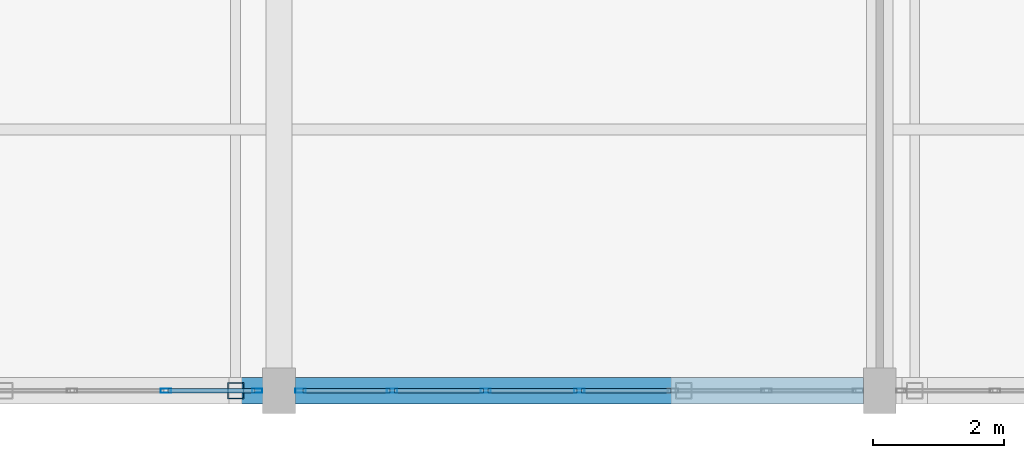
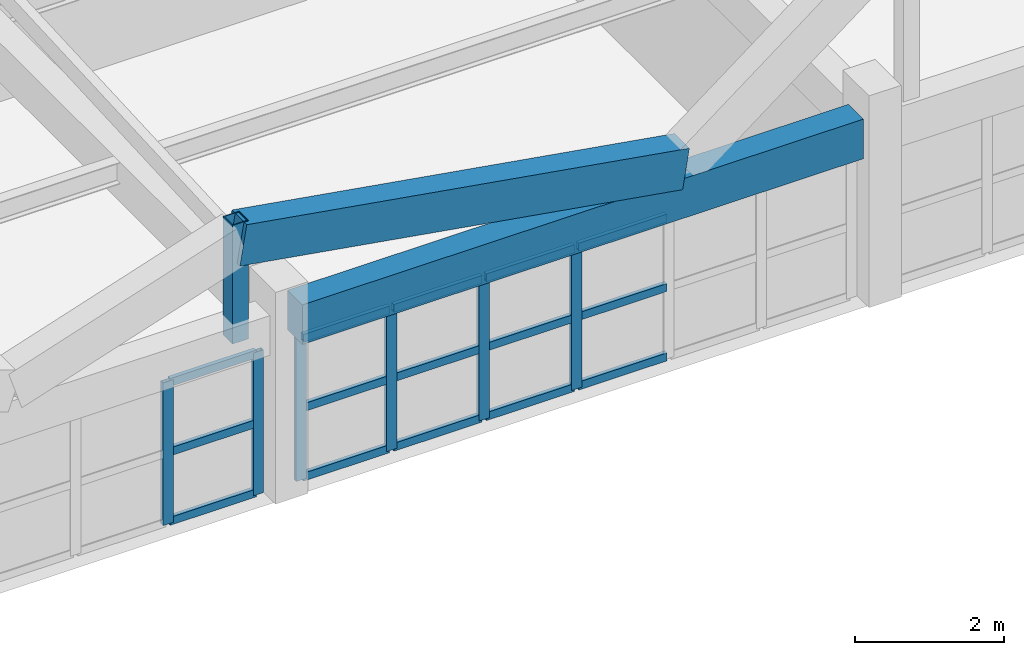
# One storey, part 18 of 127: 22 members, 2 beams, 2 elements without a shape of their own.
"""IFC4 building model written with IfcOpenShell, lengths in metres."""

from ifc_helpers import new_model, si_unit, direction, frame, origin, origin_2d, place, context, subcontext, project, spatial, rectangle, hollow_rectangle, extrude, material, material_profile, profile_set, type_object, element, aggregate, save


model = new_model("IFC4")

# Units and contexts
model_context = context("Model", 3, precision=1e-05, world=origin(), true_north=direction((0.0, 1.0)))
body_context = subcontext(model_context, "Body", "Model", "MODEL_VIEW")
ifc_project = project(units=[si_unit("LENGTHUNIT", "METRE"), si_unit("AREAUNIT", "SQUARE_METRE"), si_unit("VOLUMEUNIT", "CUBIC_METRE"), si_unit("PLANEANGLEUNIT", "RADIAN"), si_unit("MASSUNIT", "GRAM", prefix="KILO")], contexts=[model_context])

# Site, building, storey
site_placement = place(None, origin())
site = spatial("IfcSite", under=ifc_project, at=site_placement, CompositionType="ELEMENT")
building_placement = place(site_placement, origin())
building = spatial("IfcBuilding", under=site, at=building_placement, Name="Kestramere Prow Commons", CompositionType="ELEMENT")
storey_placement = place(building_placement, frame((0.0, 0.0, 8.39990234375)))
storey = spatial("IfcBuildingStorey", under=building, at=storey_placement, Name="L02", CompositionType="ELEMENT", Elevation=8.39990234375)

# Beams
ifc_material_1 = material(Name="Precast concrete C40/50", Category="concrete")
ifc_material_profile_1 = material_profile(ifc_material_1, rectangle(XDim=0.39990234375, YDim=0.64990234375, at=origin_2d()), Name="PC-BM 400x650")
ifc_profile_set_1 = profile_set([ifc_material_profile_1], Name="Precast concrete C40/50")
beam_type = type_object("IfcBeamType", Name="BM-MK-01 PC-BM 400x650 (EX)", PredefinedType="BEAM", material=ifc_profile_set_1)
beam_1_placement = place(storey_placement, frame((85.25, 0.0, 2.675048828125), z_axis=(1.0, 0.0, 0.0), x_axis=(0.0, 1.0, 0.0)))
element("IfcBeam", 1, at=beam_1_placement, inside=storey, type_object=beam_type, Name="Market Spine L02 Beam X 1-4", PredefinedType="BEAM", context=body_context, shape_type="SweptSolid", body=[
    extrude(rectangle(XDim=0.39990234375, YDim=0.64990234375, at=origin_2d()), origin(), (0.0, 0.0, 1.0), 8.699951171875),
])
beam_2_placement = place(storey_placement, frame((84.3359375, 0.0, 4.295166015625), z_axis=(0.986250388965, 0.0, -0.16525789018), x_axis=(0.0, 1.0, 0.0)))
element("IfcBeam", 2, at=beam_2_placement, inside=storey, type_object=beam_type, Name="Market Folded Rafter 3R-0", PredefinedType="BEAM", context=body_context, shape_type="SweptSolid", body=[
    extrude(rectangle(XDim=0.39990234375, YDim=0.64990234375, at=origin_2d()), origin(), (0.0, 0.0, 1.0), 6.959716796875),
])

# Member
ifc_material_2 = material(Name="Steel S355JR", Category="steel")
ifc_material_profile_2 = material_profile(ifc_material_2, hollow_rectangle(XDim=0.25, YDim=0.25, WallThickness=0.012451171875, at=origin_2d()), Name="SHS 250x250x12.5")
ifc_profile_set_2 = profile_set([ifc_material_profile_2], Name="Steel S355JR")
member_type_1 = type_object("IfcMemberType", Name="BRAPX-01 SHS 250x250x12.5", PredefinedType="BRACE", material=ifc_profile_set_2)
member_1_placement = place(storey_placement, frame((84.3359375, 0.0, 2.675048828125), z_axis=(0.0, 0.0, 1.0), x_axis=(1.0, 0.0, 0.0)))
element("IfcMember", 3, at=member_1_placement, inside=storey, type_object=member_type_1, Name="Market Folded Gable Diagonal Brace 3-0", PredefinedType="BRACE", context=body_context, shape_type="SweptSolid", body=[
    extrude(hollow_rectangle(XDim=0.25, YDim=0.25, WallThickness=0.012451171875, at=origin_2d()), origin(), (0.0, 0.0, 1.0), 1.945068359375),
])

# Curtain wall, members
ifc_material_3 = material(Name="Anodised Aluminium and Low-E Glass", Category="aluminium")
curtain_wall_type = type_object("IfcCurtainWallType", Name="CW-30 Glazed Curtain Wall 8600x2340", PredefinedType="USERDEFINED", material=ifc_material_3)
curtain_wall_1_placement = place(storey_placement, origin())
curtain_wall_1 = element("IfcCurtainWall", 4, at=curtain_wall_1_placement, inside=storey, type_object=curtain_wall_type, Name="Market L02 South Shopfront 3", ObjectType="GLAZED CURTAIN WALL", PredefinedType="USERDEFINED")
ifc_material_4 = material(Name="Anodised Aluminium 6063-T6", Category="aluminium")
ifc_material_profile_3 = material_profile(ifc_material_4, hollow_rectangle(XDim=0.06494140625, YDim=0.159912109375, WallThickness=0.00390625, at=origin_2d()), Name="ALU-MUL 65x160")
ifc_profile_set_3 = profile_set([ifc_material_profile_3], Name="Anodised Aluminium 6063-T6")
member_type_2 = type_object("IfcMemberType", Name="CW-MUL-65x160", PredefinedType="MULLION", material=ifc_profile_set_3)
member_2_placement = place(storey_placement, frame((84.66748046875, 0.0, 0.0), z_axis=(0.0, 0.0, 1.0), x_axis=(0.0, -1.0, 0.0)))
member_2 = element("IfcMember", 5, at=member_2_placement, type_object=member_type_2, Name="CW-30 mullion 1", PredefinedType="MULLION", context=body_context, shape_type="SweptSolid", body=[
    extrude(hollow_rectangle(XDim=0.06494140625, YDim=0.159912109375, WallThickness=0.00390625, at=origin_2d()), origin(), (0.0, 0.0, 1.0), 2.340087890625),
])
member_3_placement = place(storey_placement, frame((83.2666015625, 0.0, 0.0), z_axis=(0.0, 0.0, 1.0), x_axis=(0.0, -1.0, 0.0)))
member_3 = element("IfcMember", 6, at=member_3_placement, type_object=member_type_2, Name="CW-30 mullion 2", PredefinedType="MULLION", context=body_context, shape_type="SweptSolid", body=[
    extrude(hollow_rectangle(XDim=0.06494140625, YDim=0.159912109375, WallThickness=0.00390625, at=origin_2d()), origin(), (0.0, 0.0, 1.0), 2.340087890625),
])

curtain_wall_2_placement = place(storey_placement, origin())
curtain_wall_2 = element("IfcCurtainWall", 7, at=curtain_wall_2_placement, inside=storey, type_object=curtain_wall_type, Name="Market L02 South Shopfront 4", ObjectType="GLAZED CURTAIN WALL", PredefinedType="USERDEFINED")
member_4_placement = place(storey_placement, frame((89.60009765625, 0.0, 0.0), z_axis=(0.0, 0.0, 1.0), x_axis=(0.0, -1.0, 0.0)))
member_4 = element("IfcMember", 8, at=member_4_placement, type_object=member_type_2, Name="CW-30 mullion 4", PredefinedType="MULLION", context=body_context, shape_type="SweptSolid", body=[
    extrude(hollow_rectangle(XDim=0.06494140625, YDim=0.159912109375, WallThickness=0.00390625, at=origin_2d()), origin(), (0.0, 0.0, 1.0), 2.340087890625),
])
member_5_placement = place(storey_placement, frame((88.166748046875, 0.0, 0.0), z_axis=(0.0, 0.0, 1.0), x_axis=(0.0, -1.0, 0.0)))
member_5 = element("IfcMember", 9, at=member_5_placement, type_object=member_type_2, Name="CW-30 mullion 5", PredefinedType="MULLION", context=body_context, shape_type="SweptSolid", body=[
    extrude(hollow_rectangle(XDim=0.06494140625, YDim=0.159912109375, WallThickness=0.00390625, at=origin_2d()), origin(), (0.0, 0.0, 1.0), 2.340087890625),
])
member_6_placement = place(storey_placement, frame((86.7333984375, 0.0, 0.0), z_axis=(0.0, 0.0, 1.0), x_axis=(0.0, -1.0, 0.0)))
member_6 = element("IfcMember", 10, at=member_6_placement, type_object=member_type_2, Name="CW-30 mullion 6", PredefinedType="MULLION", context=body_context, shape_type="SweptSolid", body=[
    extrude(hollow_rectangle(XDim=0.06494140625, YDim=0.159912109375, WallThickness=0.00390625, at=origin_2d()), origin(), (0.0, 0.0, 1.0), 2.340087890625),
])
member_7_placement = place(storey_placement, frame((85.33251953125, 0.0, 0.0), z_axis=(0.0, 0.0, 1.0), x_axis=(0.0, -1.0, 0.0)))
member_7 = element("IfcMember", 11, at=member_7_placement, type_object=member_type_2, Name="CW-30 mullion 7", PredefinedType="MULLION", context=body_context, shape_type="SweptSolid", body=[
    extrude(hollow_rectangle(XDim=0.06494140625, YDim=0.159912109375, WallThickness=0.00390625, at=origin_2d()), origin(), (0.0, 0.0, 1.0), 2.340087890625),
])

# Member
ifc_material_profile_4 = material_profile(ifc_material_4, hollow_rectangle(XDim=0.06494140625, YDim=0.1298828125, WallThickness=0.00390625, at=origin_2d()), Name="ALU-TRN 65x130")
ifc_profile_set_4 = profile_set([ifc_material_profile_4], Name="Anodised Aluminium 6063-T6")
member_type_3 = type_object("IfcMemberType", Name="CW-TRN-65x130", PredefinedType="USERDEFINED", material=ifc_profile_set_4)
member_8_placement = place(storey_placement, frame((84.635009765625, 0.0, 0.03271484375), z_axis=(-1.0, 0.0, 0.0), x_axis=(0.0, -1.0, 0.0)))
member_8 = element("IfcMember", 12, at=member_8_placement, type_object=member_type_3, Name="CW-30 transom 1.1", ObjectType="TRANSOM", PredefinedType="USERDEFINED", context=body_context, shape_type="SweptSolid", body=[
    extrude(hollow_rectangle(XDim=0.06494140625, YDim=0.1298828125, WallThickness=0.00390625, at=origin_2d()), origin(), (0.0, 0.0, 1.0), 1.3359375),
])

member_9_placement = place(storey_placement, frame((84.635009765625, 0.0, 1.170166015625), z_axis=(-1.0, 0.0, 0.0), x_axis=(0.0, -1.0, 0.0)))
member_9 = element("IfcMember", 13, at=member_9_placement, type_object=member_type_3, Name="CW-30 transom 1.2", ObjectType="TRANSOM", PredefinedType="USERDEFINED", context=body_context, shape_type="SweptSolid", body=[
    extrude(hollow_rectangle(XDim=0.06494140625, YDim=0.1298828125, WallThickness=0.00390625, at=origin_2d()), origin(), (0.0, 0.0, 1.0), 1.3359375),
])

member_10_placement = place(storey_placement, frame((84.635009765625, 0.0, 2.3076171875), z_axis=(-1.0, 0.0, 0.0), x_axis=(0.0, -1.0, 0.0)))
member_10 = element("IfcMember", 14, at=member_10_placement, type_object=member_type_3, Name="CW-30 transom 1.3", ObjectType="TRANSOM", PredefinedType="USERDEFINED", context=body_context, shape_type="SweptSolid", body=[
    extrude(hollow_rectangle(XDim=0.06494140625, YDim=0.1298828125, WallThickness=0.00390625, at=origin_2d()), origin(), (0.0, 0.0, 1.0), 1.3359375),
])

aggregate(curtain_wall_1, [member_2, member_3, member_8, member_9, member_10])

member_11_placement = place(storey_placement, frame((91.000732421875, 0.0, 0.03271484375), z_axis=(-1.0, 0.0, 0.0), x_axis=(0.0, -1.0, 0.0)))
member_11 = element("IfcMember", 15, at=member_11_placement, type_object=member_type_3, Name="CW-30 transom 3.1", ObjectType="TRANSOM", PredefinedType="USERDEFINED", context=body_context, shape_type="SweptSolid", body=[
    extrude(hollow_rectangle(XDim=0.06494140625, YDim=0.1298828125, WallThickness=0.00390625, at=origin_2d()), origin(), (0.0, 0.0, 1.0), 1.3681640625),
])

member_12_placement = place(storey_placement, frame((91.000732421875, 0.0, 1.170166015625), z_axis=(-1.0, 0.0, 0.0), x_axis=(0.0, -1.0, 0.0)))
member_12 = element("IfcMember", 16, at=member_12_placement, type_object=member_type_3, Name="CW-30 transom 3.2", ObjectType="TRANSOM", PredefinedType="USERDEFINED", context=body_context, shape_type="SweptSolid", body=[
    extrude(hollow_rectangle(XDim=0.06494140625, YDim=0.1298828125, WallThickness=0.00390625, at=origin_2d()), origin(), (0.0, 0.0, 1.0), 1.3681640625),
])

member_13_placement = place(storey_placement, frame((91.000732421875, 0.0, 2.3076171875), z_axis=(-1.0, 0.0, 0.0), x_axis=(0.0, -1.0, 0.0)))
member_13 = element("IfcMember", 17, at=member_13_placement, type_object=member_type_3, Name="CW-30 transom 3.3", ObjectType="TRANSOM", PredefinedType="USERDEFINED", context=body_context, shape_type="SweptSolid", body=[
    extrude(hollow_rectangle(XDim=0.06494140625, YDim=0.1298828125, WallThickness=0.00390625, at=origin_2d()), origin(), (0.0, 0.0, 1.0), 1.3681640625),
])

member_14_placement = place(storey_placement, frame((89.5673828125, 0.0, 0.03271484375), z_axis=(-1.0, 0.0, 0.0), x_axis=(0.0, -1.0, 0.0)))
member_14 = element("IfcMember", 18, at=member_14_placement, type_object=member_type_3, Name="CW-30 transom 4.1", ObjectType="TRANSOM", PredefinedType="USERDEFINED", context=body_context, shape_type="SweptSolid", body=[
    extrude(hollow_rectangle(XDim=0.06494140625, YDim=0.1298828125, WallThickness=0.00390625, at=origin_2d()), origin(), (0.0, 0.0, 1.0), 1.3681640625),
])

member_15_placement = place(storey_placement, frame((89.5673828125, 0.0, 1.170166015625), z_axis=(-1.0, 0.0, 0.0), x_axis=(0.0, -1.0, 0.0)))
member_15 = element("IfcMember", 19, at=member_15_placement, type_object=member_type_3, Name="CW-30 transom 4.2", ObjectType="TRANSOM", PredefinedType="USERDEFINED", context=body_context, shape_type="SweptSolid", body=[
    extrude(hollow_rectangle(XDim=0.06494140625, YDim=0.1298828125, WallThickness=0.00390625, at=origin_2d()), origin(), (0.0, 0.0, 1.0), 1.3681640625),
])

member_16_placement = place(storey_placement, frame((89.5673828125, 0.0, 2.3076171875), z_axis=(-1.0, 0.0, 0.0), x_axis=(0.0, -1.0, 0.0)))
member_16 = element("IfcMember", 20, at=member_16_placement, type_object=member_type_3, Name="CW-30 transom 4.3", ObjectType="TRANSOM", PredefinedType="USERDEFINED", context=body_context, shape_type="SweptSolid", body=[
    extrude(hollow_rectangle(XDim=0.06494140625, YDim=0.1298828125, WallThickness=0.00390625, at=origin_2d()), origin(), (0.0, 0.0, 1.0), 1.3681640625),
])

member_17_placement = place(storey_placement, frame((88.13427734375, 0.0, 0.03271484375), z_axis=(-1.0, 0.0, 0.0), x_axis=(0.0, -1.0, 0.0)))
member_17 = element("IfcMember", 21, at=member_17_placement, type_object=member_type_3, Name="CW-30 transom 5.1", ObjectType="TRANSOM", PredefinedType="USERDEFINED", context=body_context, shape_type="SweptSolid", body=[
    extrude(hollow_rectangle(XDim=0.06494140625, YDim=0.1298828125, WallThickness=0.00390625, at=origin_2d()), origin(), (0.0, 0.0, 1.0), 1.368408203125),
])

member_18_placement = place(storey_placement, frame((88.13427734375, 0.0, 1.170166015625), z_axis=(-1.0, 0.0, 0.0), x_axis=(0.0, -1.0, 0.0)))
member_18 = element("IfcMember", 22, at=member_18_placement, type_object=member_type_3, Name="CW-30 transom 5.2", ObjectType="TRANSOM", PredefinedType="USERDEFINED", context=body_context, shape_type="SweptSolid", body=[
    extrude(hollow_rectangle(XDim=0.06494140625, YDim=0.1298828125, WallThickness=0.00390625, at=origin_2d()), origin(), (0.0, 0.0, 1.0), 1.368408203125),
])

member_19_placement = place(storey_placement, frame((88.13427734375, 0.0, 2.3076171875), z_axis=(-1.0, 0.0, 0.0), x_axis=(0.0, -1.0, 0.0)))
member_19 = element("IfcMember", 23, at=member_19_placement, type_object=member_type_3, Name="CW-30 transom 5.3", ObjectType="TRANSOM", PredefinedType="USERDEFINED", context=body_context, shape_type="SweptSolid", body=[
    extrude(hollow_rectangle(XDim=0.06494140625, YDim=0.1298828125, WallThickness=0.00390625, at=origin_2d()), origin(), (0.0, 0.0, 1.0), 1.368408203125),
])

member_20_placement = place(storey_placement, frame((86.700927734375, 0.0, 0.03271484375), z_axis=(-1.0, 0.0, 0.0), x_axis=(0.0, -1.0, 0.0)))
member_20 = element("IfcMember", 24, at=member_20_placement, type_object=member_type_3, Name="CW-30 transom 6.1", ObjectType="TRANSOM", PredefinedType="USERDEFINED", context=body_context, shape_type="SweptSolid", body=[
    extrude(hollow_rectangle(XDim=0.06494140625, YDim=0.1298828125, WallThickness=0.00390625, at=origin_2d()), origin(), (0.0, 0.0, 1.0), 1.3359375),
])

member_21_placement = place(storey_placement, frame((86.700927734375, 0.0, 1.170166015625), z_axis=(-1.0, 0.0, 0.0), x_axis=(0.0, -1.0, 0.0)))
member_21 = element("IfcMember", 25, at=member_21_placement, type_object=member_type_3, Name="CW-30 transom 6.2", ObjectType="TRANSOM", PredefinedType="USERDEFINED", context=body_context, shape_type="SweptSolid", body=[
    extrude(hollow_rectangle(XDim=0.06494140625, YDim=0.1298828125, WallThickness=0.00390625, at=origin_2d()), origin(), (0.0, 0.0, 1.0), 1.3359375),
])

member_22_placement = place(storey_placement, frame((86.700927734375, 0.0, 2.3076171875), z_axis=(-1.0, 0.0, 0.0), x_axis=(0.0, -1.0, 0.0)))
member_22 = element("IfcMember", 26, at=member_22_placement, type_object=member_type_3, Name="CW-30 transom 6.3", ObjectType="TRANSOM", PredefinedType="USERDEFINED", context=body_context, shape_type="SweptSolid", body=[
    extrude(hollow_rectangle(XDim=0.06494140625, YDim=0.1298828125, WallThickness=0.00390625, at=origin_2d()), origin(), (0.0, 0.0, 1.0), 1.3359375),
])

aggregate(curtain_wall_2, [member_4, member_5, member_6, member_7, member_11, member_12, member_13, member_14, member_15, member_16, member_17, member_18, member_19, member_20, member_21, member_22])

save(model, "model.ifc")
